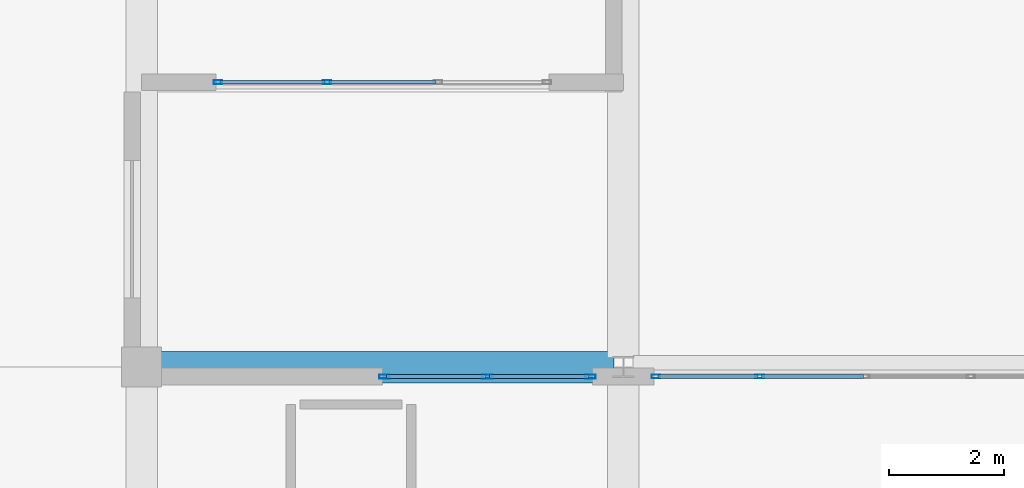
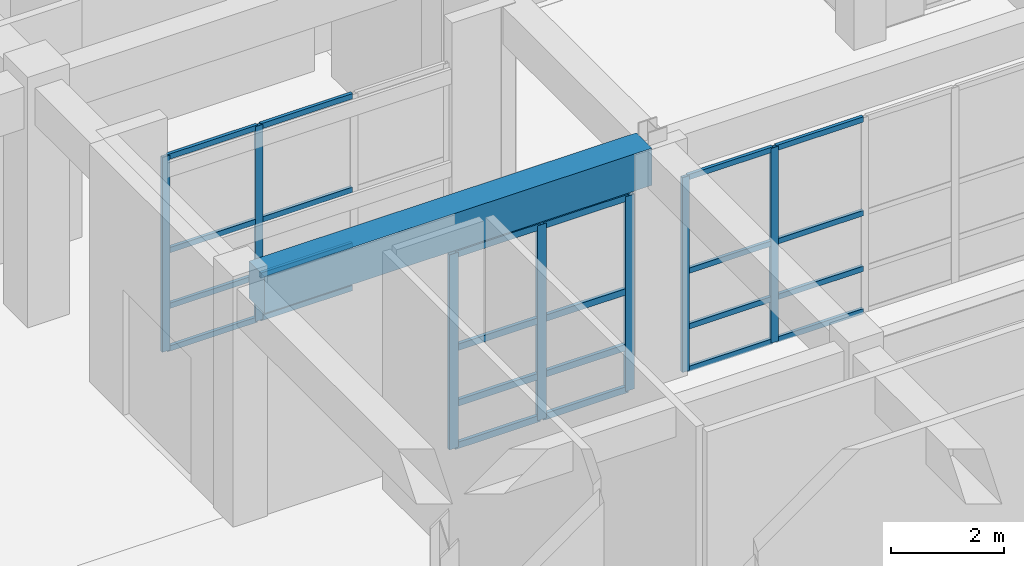
# One storey, part 69 of 148: 31 members, 1 beam, 3 elements without a shape of their own.
"""IFC4 building model written with IfcOpenShell, lengths in metres."""

from ifc_helpers import new_model, si_unit, direction, frame, origin, origin_2d, place, context, subcontext, project, spatial, rectangle, hollow_rectangle, extrude, material, layer, layer_set, material_profile, profile_set, type_object, element, aggregate, save


model = new_model("IFC4")

# Units and contexts
model_context = context("Model", 3, precision=1e-05, world=origin(), true_north=direction((0.0, 1.0)))
body_context = subcontext(model_context, "Body", "Model", "MODEL_VIEW")
ifc_project = project(units=[si_unit("LENGTHUNIT", "METRE"), si_unit("AREAUNIT", "SQUARE_METRE"), si_unit("VOLUMEUNIT", "CUBIC_METRE"), si_unit("PLANEANGLEUNIT", "RADIAN"), si_unit("MASSUNIT", "GRAM", prefix="KILO")], contexts=[model_context])

# Site, building, storey
site_placement = place(None, origin())
site = spatial("IfcSite", under=ifc_project, at=site_placement, CompositionType="ELEMENT")
building_placement = place(site_placement, origin())
building = spatial("IfcBuilding", under=site, at=building_placement, Name="Quendrovan Civic Courthouse", CompositionType="ELEMENT")
storey_placement = place(building_placement, origin())
storey = spatial("IfcBuildingStorey", under=building, at=storey_placement, Name="L01", CompositionType="ELEMENT", Elevation=0.0)

# Beam
ifc_material_1 = material(Name="Concrete C40/50", Category="concrete")
ifc_material_profile_1 = material_profile(ifc_material_1, rectangle(XDim=0.550048828125, YDim=0.800048828125, at=origin_2d()), Name="RC-BM-550x800")
ifc_profile_set_1 = profile_set([ifc_material_profile_1], Name="Concrete C40/50")
beam_type = type_object("IfcBeamType", Name="BM-RC800", PredefinedType="BEAM", material=ifc_profile_set_1)
beam_placement = place(storey_placement, frame((84.330078125, 80.39990234375, 4.719970703125), z_axis=(1.0, 0.0, 0.0), x_axis=(0.0, 1.0, 0.0)))
element("IfcBeam", 1, at=beam_placement, inside=storey, type_object=beam_type, Name="L01 Girder X0313", PredefinedType="BEAM", context=body_context, shape_type="SweptSolid", body=[
    extrude(rectangle(XDim=0.550048828125, YDim=0.800048828125, at=origin_2d()), origin(), (0.0, 0.0, 1.0), 7.90283203125),
])

# Curtain wall, members
ifc_material_2 = material(Name="Bronze anodised aluminium and low-E glass", Category="aluminium")
ifc_layer_1 = layer(ifc_material_2, 0.179931640625, Name="Bronze anodised aluminium and low-E glass")
ifc_layer_set_1 = layer_set([ifc_layer_1], Name="Bronze anodised aluminium and low-E glass")
curtain_wall_type_1 = type_object("IfcCurtainWallType", Name="CW-U37x42", PredefinedType="USERDEFINED", material=ifc_layer_set_1)
curtain_wall_1_placement = place(storey_placement, origin())
curtain_wall_1 = element("IfcCurtainWall", 2, at=curtain_wall_1_placement, inside=storey, type_object=curtain_wall_type_1, Name="L01 Unitised Hurricane Curtain Wall CW-052", ObjectType="UNITISED CURTAIN WALL", PredefinedType="USERDEFINED")
ifc_material_3 = material(Name="Bronze anodised aluminium", Category="aluminium")
ifc_material_profile_2 = material_profile(ifc_material_3, hollow_rectangle(XDim=0.070068359375, YDim=0.179931640625, WallThickness=0.00390625, at=origin_2d()), Name="CW-MULL-70x180")
ifc_profile_set_2 = profile_set([ifc_material_profile_2], Name="Bronze anodised aluminium")
member_type_1 = type_object("IfcMemberType", Name="CW-MULL-A", PredefinedType="MULLION", material=ifc_profile_set_2)
member_1_placement = place(storey_placement, frame((88.235107421875, 80.235107421875, 0.0), z_axis=(0.0, 0.0, 1.0), x_axis=(0.0, 1.0, 0.0)))
member_1 = element("IfcMember", 3, at=member_1_placement, type_object=member_type_1, Name="CW-052 mullion 1", PredefinedType="MULLION", context=body_context, shape_type="SweptSolid", body=[
    extrude(hollow_rectangle(XDim=0.070068359375, YDim=0.179931640625, WallThickness=0.00390625, at=origin_2d()), origin(), (0.0, 0.0, 1.0), 4.199951171875),
])
member_2_placement = place(storey_placement, frame((90.031494140625, 80.235107421875, 0.0), z_axis=(0.0, 0.0, 1.0), x_axis=(0.0, 1.0, 0.0)))
member_2 = element("IfcMember", 4, at=member_2_placement, type_object=member_type_1, Name="CW-052 mullion 2", PredefinedType="MULLION", context=body_context, shape_type="SweptSolid", body=[
    extrude(hollow_rectangle(XDim=0.070068359375, YDim=0.179931640625, WallThickness=0.00390625, at=origin_2d()), origin(), (0.0, 0.0, 1.0), 4.199951171875),
])
member_3_placement = place(storey_placement, frame((91.827880859375, 80.235107421875, 0.0), z_axis=(0.0, 0.0, 1.0), x_axis=(0.0, 1.0, 0.0)))
member_3 = element("IfcMember", 5, at=member_3_placement, type_object=member_type_1, Name="CW-052 mullion 3", PredefinedType="MULLION", context=body_context, shape_type="SweptSolid", body=[
    extrude(hollow_rectangle(XDim=0.070068359375, YDim=0.179931640625, WallThickness=0.00390625, at=origin_2d()), origin(), (0.0, 0.0, 1.0), 4.199951171875),
])

ifc_layer_2 = layer(ifc_material_2, 0.179931640625, Name="Bronze anodised aluminium and low-E glass")
ifc_layer_set_2 = layer_set([ifc_layer_2], Name="Bronze anodised aluminium and low-E glass")
curtain_wall_type_2 = type_object("IfcCurtainWallType", Name="CW-U58x42", PredefinedType="USERDEFINED", material=ifc_layer_set_2)
curtain_wall_2_placement = place(storey_placement, origin())
curtain_wall_2 = element("IfcCurtainWall", 6, at=curtain_wall_2_placement, inside=storey, type_object=curtain_wall_type_2, Name="L01 Unitised Hurricane Curtain Wall CW-051", ObjectType="UNITISED CURTAIN WALL", PredefinedType="USERDEFINED")
ifc_material_profile_3 = material_profile(ifc_material_3, hollow_rectangle(XDim=0.06494140625, YDim=0.14990234375, WallThickness=0.00390625, at=origin_2d()), Name="CW-MULL-65x150")
ifc_profile_set_3 = profile_set([ifc_material_profile_3], Name="Bronze anodised aluminium")
member_type_2 = type_object("IfcMemberType", Name="CW-MULL-B", PredefinedType="MULLION", material=ifc_profile_set_3)
member_4_placement = place(storey_placement, frame((87.2333984375, 85.364990234375, 0.0), z_axis=(0.0, 0.0, 1.0), x_axis=(0.0, -1.0, 0.0)))
member_4 = element("IfcMember", 7, at=member_4_placement, type_object=member_type_2, Name="CW-051 mullion 3", PredefinedType="MULLION", context=body_context, shape_type="SweptSolid", body=[
    extrude(hollow_rectangle(XDim=0.06494140625, YDim=0.14990234375, WallThickness=0.00390625, at=origin_2d()), origin(), (0.0, 0.0, 1.0), 4.199951171875),
])
member_5_placement = place(storey_placement, frame((85.33251953125, 85.364990234375, 0.0), z_axis=(0.0, 0.0, 1.0), x_axis=(0.0, -1.0, 0.0)))
member_5 = element("IfcMember", 8, at=member_5_placement, type_object=member_type_2, Name="CW-051 mullion 4", PredefinedType="MULLION", context=body_context, shape_type="SweptSolid", body=[
    extrude(hollow_rectangle(XDim=0.06494140625, YDim=0.14990234375, WallThickness=0.00390625, at=origin_2d()), origin(), (0.0, 0.0, 1.0), 4.199951171875),
])

ifc_layer_3 = layer(ifc_material_2, 0.179931640625, Name="Bronze anodised aluminium and low-E glass")
ifc_layer_set_3 = layer_set([ifc_layer_3], Name="Bronze anodised aluminium and low-E glass")
curtain_wall_type_3 = type_object("IfcCurtainWallType", Name="CW-U74x42", PredefinedType="USERDEFINED", material=ifc_layer_set_3)
curtain_wall_3_placement = place(storey_placement, origin())
curtain_wall_3 = element("IfcCurtainWall", 9, at=curtain_wall_3_placement, inside=storey, type_object=curtain_wall_type_3, Name="L01 Unitised Hurricane Curtain Wall CW-053", ObjectType="UNITISED CURTAIN WALL", PredefinedType="USERDEFINED")
member_6_placement = place(storey_placement, frame((92.969482421875, 80.235107421875, 0.0), z_axis=(0.0, 0.0, 1.0), x_axis=(0.0, 1.0, 0.0)))
member_6 = element("IfcMember", 10, at=member_6_placement, type_object=member_type_2, Name="CW-053 mullion 1", PredefinedType="MULLION", context=body_context, shape_type="SweptSolid", body=[
    extrude(hollow_rectangle(XDim=0.06494140625, YDim=0.14990234375, WallThickness=0.00390625, at=origin_2d()), origin(), (0.0, 0.0, 1.0), 4.199951171875),
])
member_7_placement = place(storey_placement, frame((94.77783203125, 80.235107421875, 0.0), z_axis=(0.0, 0.0, 1.0), x_axis=(0.0, 1.0, 0.0)))
member_7 = element("IfcMember", 11, at=member_7_placement, type_object=member_type_2, Name="CW-053 mullion 2", PredefinedType="MULLION", context=body_context, shape_type="SweptSolid", body=[
    extrude(hollow_rectangle(XDim=0.06494140625, YDim=0.14990234375, WallThickness=0.00390625, at=origin_2d()), origin(), (0.0, 0.0, 1.0), 4.199951171875),
])

# Member
ifc_material_profile_4 = material_profile(ifc_material_3, hollow_rectangle(XDim=0.070068359375, YDim=0.139892578125, WallThickness=0.00390625, at=origin_2d()), Name="CW-TRAN-70x140")
ifc_profile_set_4 = profile_set([ifc_material_profile_4], Name="Bronze anodised aluminium")
member_type_3 = type_object("IfcMemberType", Name="CW-TRAN-A", PredefinedType="USERDEFINED", material=ifc_profile_set_4)
member_8_placement = place(storey_placement, frame((88.27001953125, 80.235107421875, 0.034912109375), z_axis=(1.0, 0.0, 0.0), x_axis=(0.0, 1.0, 0.0)))
member_8 = element("IfcMember", 12, at=member_8_placement, type_object=member_type_3, Name="CW-052 transom 1.1", ObjectType="TRANSOM", PredefinedType="USERDEFINED", context=body_context, shape_type="SweptSolid", body=[
    extrude(hollow_rectangle(XDim=0.070068359375, YDim=0.139892578125, WallThickness=0.00390625, at=origin_2d()), origin(), (0.0, 0.0, 1.0), 1.7265625),
])

member_9_placement = place(storey_placement, frame((88.27001953125, 80.235107421875, 0.949951171875), z_axis=(1.0, 0.0, 0.0), x_axis=(0.0, 1.0, 0.0)))
member_9 = element("IfcMember", 13, at=member_9_placement, type_object=member_type_3, Name="CW-052 transom 1.2", ObjectType="TRANSOM", PredefinedType="USERDEFINED", context=body_context, shape_type="SweptSolid", body=[
    extrude(hollow_rectangle(XDim=0.070068359375, YDim=0.139892578125, WallThickness=0.00390625, at=origin_2d()), origin(), (0.0, 0.0, 1.0), 1.7265625),
])

member_10_placement = place(storey_placement, frame((88.27001953125, 80.235107421875, 2.14990234375), z_axis=(1.0, 0.0, 0.0), x_axis=(0.0, 1.0, 0.0)))
member_10 = element("IfcMember", 14, at=member_10_placement, type_object=member_type_3, Name="CW-052 transom 1.3", ObjectType="TRANSOM", PredefinedType="USERDEFINED", context=body_context, shape_type="SweptSolid", body=[
    extrude(hollow_rectangle(XDim=0.070068359375, YDim=0.139892578125, WallThickness=0.00390625, at=origin_2d()), origin(), (0.0, 0.0, 1.0), 1.7265625),
])

member_11_placement = place(storey_placement, frame((88.27001953125, 80.235107421875, 4.1650390625), z_axis=(1.0, 0.0, 0.0), x_axis=(0.0, 1.0, 0.0)))
member_11 = element("IfcMember", 15, at=member_11_placement, type_object=member_type_3, Name="CW-052 transom 1.4", ObjectType="TRANSOM", PredefinedType="USERDEFINED", context=body_context, shape_type="SweptSolid", body=[
    extrude(hollow_rectangle(XDim=0.070068359375, YDim=0.139892578125, WallThickness=0.00390625, at=origin_2d()), origin(), (0.0, 0.0, 1.0), 1.7265625),
])

member_12_placement = place(storey_placement, frame((90.06640625, 80.235107421875, 0.034912109375), z_axis=(1.0, 0.0, 0.0), x_axis=(0.0, 1.0, 0.0)))
member_12 = element("IfcMember", 16, at=member_12_placement, type_object=member_type_3, Name="CW-052 transom 2.1", ObjectType="TRANSOM", PredefinedType="USERDEFINED", context=body_context, shape_type="SweptSolid", body=[
    extrude(hollow_rectangle(XDim=0.070068359375, YDim=0.139892578125, WallThickness=0.00390625, at=origin_2d()), origin(), (0.0, 0.0, 1.0), 1.7265625),
])

member_13_placement = place(storey_placement, frame((90.06640625, 80.235107421875, 0.949951171875), z_axis=(1.0, 0.0, 0.0), x_axis=(0.0, 1.0, 0.0)))
member_13 = element("IfcMember", 17, at=member_13_placement, type_object=member_type_3, Name="CW-052 transom 2.2", ObjectType="TRANSOM", PredefinedType="USERDEFINED", context=body_context, shape_type="SweptSolid", body=[
    extrude(hollow_rectangle(XDim=0.070068359375, YDim=0.139892578125, WallThickness=0.00390625, at=origin_2d()), origin(), (0.0, 0.0, 1.0), 1.7265625),
])

member_14_placement = place(storey_placement, frame((90.06640625, 80.235107421875, 2.14990234375), z_axis=(1.0, 0.0, 0.0), x_axis=(0.0, 1.0, 0.0)))
member_14 = element("IfcMember", 18, at=member_14_placement, type_object=member_type_3, Name="CW-052 transom 2.3", ObjectType="TRANSOM", PredefinedType="USERDEFINED", context=body_context, shape_type="SweptSolid", body=[
    extrude(hollow_rectangle(XDim=0.070068359375, YDim=0.139892578125, WallThickness=0.00390625, at=origin_2d()), origin(), (0.0, 0.0, 1.0), 1.7265625),
])

member_15_placement = place(storey_placement, frame((90.06640625, 80.235107421875, 4.1650390625), z_axis=(1.0, 0.0, 0.0), x_axis=(0.0, 1.0, 0.0)))
member_15 = element("IfcMember", 19, at=member_15_placement, type_object=member_type_3, Name="CW-052 transom 2.4", ObjectType="TRANSOM", PredefinedType="USERDEFINED", context=body_context, shape_type="SweptSolid", body=[
    extrude(hollow_rectangle(XDim=0.070068359375, YDim=0.139892578125, WallThickness=0.00390625, at=origin_2d()), origin(), (0.0, 0.0, 1.0), 1.7265625),
])

aggregate(curtain_wall_1, [member_1, member_2, member_3, member_8, member_9, member_10, member_11, member_12, member_13, member_14, member_15])

ifc_material_profile_5 = material_profile(ifc_material_3, hollow_rectangle(XDim=0.06494140625, YDim=0.114990234375, WallThickness=0.00390625, at=origin_2d()), Name="CW-TRAN-65x115")
ifc_profile_set_5 = profile_set([ifc_material_profile_5], Name="Bronze anodised aluminium")
member_type_4 = type_object("IfcMemberType", Name="CW-TRAN-B", PredefinedType="USERDEFINED", material=ifc_profile_set_5)
member_16_placement = place(storey_placement, frame((89.13427734375, 85.364990234375, 0.032470703125), z_axis=(-1.0, 0.0, 0.0), x_axis=(0.0, -1.0, 0.0)))
member_16 = element("IfcMember", 20, at=member_16_placement, type_object=member_type_4, Name="CW-051 transom 2.1", ObjectType="TRANSOM", PredefinedType="USERDEFINED", context=body_context, shape_type="SweptSolid", body=[
    extrude(hollow_rectangle(XDim=0.06494140625, YDim=0.114990234375, WallThickness=0.00390625, at=origin_2d()), origin(), (0.0, 0.0, 1.0), 1.868408203125),
])

member_17_placement = place(storey_placement, frame((89.13427734375, 85.364990234375, 0.949951171875), z_axis=(-1.0, 0.0, 0.0), x_axis=(0.0, -1.0, 0.0)))
member_17 = element("IfcMember", 21, at=member_17_placement, type_object=member_type_4, Name="CW-051 transom 2.2", ObjectType="TRANSOM", PredefinedType="USERDEFINED", context=body_context, shape_type="SweptSolid", body=[
    extrude(hollow_rectangle(XDim=0.06494140625, YDim=0.114990234375, WallThickness=0.00390625, at=origin_2d()), origin(), (0.0, 0.0, 1.0), 1.868408203125),
])

member_18_placement = place(storey_placement, frame((89.13427734375, 85.364990234375, 2.14990234375), z_axis=(-1.0, 0.0, 0.0), x_axis=(0.0, -1.0, 0.0)))
member_18 = element("IfcMember", 22, at=member_18_placement, type_object=member_type_4, Name="CW-051 transom 2.3", ObjectType="TRANSOM", PredefinedType="USERDEFINED", context=body_context, shape_type="SweptSolid", body=[
    extrude(hollow_rectangle(XDim=0.06494140625, YDim=0.114990234375, WallThickness=0.00390625, at=origin_2d()), origin(), (0.0, 0.0, 1.0), 1.868408203125),
])

member_19_placement = place(storey_placement, frame((89.13427734375, 85.364990234375, 4.16748046875), z_axis=(-1.0, 0.0, 0.0), x_axis=(0.0, -1.0, 0.0)))
member_19 = element("IfcMember", 23, at=member_19_placement, type_object=member_type_4, Name="CW-051 transom 2.4", ObjectType="TRANSOM", PredefinedType="USERDEFINED", context=body_context, shape_type="SweptSolid", body=[
    extrude(hollow_rectangle(XDim=0.06494140625, YDim=0.114990234375, WallThickness=0.00390625, at=origin_2d()), origin(), (0.0, 0.0, 1.0), 1.868408203125),
])

member_20_placement = place(storey_placement, frame((87.200927734375, 85.364990234375, 0.032470703125), z_axis=(-1.0, 0.0, 0.0), x_axis=(0.0, -1.0, 0.0)))
member_20 = element("IfcMember", 24, at=member_20_placement, type_object=member_type_4, Name="CW-051 transom 3.1", ObjectType="TRANSOM", PredefinedType="USERDEFINED", context=body_context, shape_type="SweptSolid", body=[
    extrude(hollow_rectangle(XDim=0.06494140625, YDim=0.114990234375, WallThickness=0.00390625, at=origin_2d()), origin(), (0.0, 0.0, 1.0), 1.8359375),
])

member_21_placement = place(storey_placement, frame((87.200927734375, 85.364990234375, 0.949951171875), z_axis=(-1.0, 0.0, 0.0), x_axis=(0.0, -1.0, 0.0)))
member_21 = element("IfcMember", 25, at=member_21_placement, type_object=member_type_4, Name="CW-051 transom 3.2", ObjectType="TRANSOM", PredefinedType="USERDEFINED", context=body_context, shape_type="SweptSolid", body=[
    extrude(hollow_rectangle(XDim=0.06494140625, YDim=0.114990234375, WallThickness=0.00390625, at=origin_2d()), origin(), (0.0, 0.0, 1.0), 1.8359375),
])

member_22_placement = place(storey_placement, frame((87.200927734375, 85.364990234375, 2.14990234375), z_axis=(-1.0, 0.0, 0.0), x_axis=(0.0, -1.0, 0.0)))
member_22 = element("IfcMember", 26, at=member_22_placement, type_object=member_type_4, Name="CW-051 transom 3.3", ObjectType="TRANSOM", PredefinedType="USERDEFINED", context=body_context, shape_type="SweptSolid", body=[
    extrude(hollow_rectangle(XDim=0.06494140625, YDim=0.114990234375, WallThickness=0.00390625, at=origin_2d()), origin(), (0.0, 0.0, 1.0), 1.8359375),
])

member_23_placement = place(storey_placement, frame((87.200927734375, 85.364990234375, 4.16748046875), z_axis=(-1.0, 0.0, 0.0), x_axis=(0.0, -1.0, 0.0)))
member_23 = element("IfcMember", 27, at=member_23_placement, type_object=member_type_4, Name="CW-051 transom 3.4", ObjectType="TRANSOM", PredefinedType="USERDEFINED", context=body_context, shape_type="SweptSolid", body=[
    extrude(hollow_rectangle(XDim=0.06494140625, YDim=0.114990234375, WallThickness=0.00390625, at=origin_2d()), origin(), (0.0, 0.0, 1.0), 1.8359375),
])

aggregate(curtain_wall_2, [member_4, member_5, member_16, member_17, member_18, member_19, member_20, member_21, member_22, member_23])

member_24_placement = place(storey_placement, frame((93.001953125, 80.235107421875, 0.032470703125), z_axis=(1.0, 0.0, 0.0), x_axis=(0.0, 1.0, 0.0)))
member_24 = element("IfcMember", 28, at=member_24_placement, type_object=member_type_4, Name="CW-053 transom 1.1", ObjectType="TRANSOM", PredefinedType="USERDEFINED", context=body_context, shape_type="SweptSolid", body=[
    extrude(hollow_rectangle(XDim=0.06494140625, YDim=0.114990234375, WallThickness=0.00390625, at=origin_2d()), origin(), (0.0, 0.0, 1.0), 1.743408203125),
])

member_25_placement = place(storey_placement, frame((93.001953125, 80.235107421875, 0.949951171875), z_axis=(1.0, 0.0, 0.0), x_axis=(0.0, 1.0, 0.0)))
member_25 = element("IfcMember", 29, at=member_25_placement, type_object=member_type_4, Name="CW-053 transom 1.2", ObjectType="TRANSOM", PredefinedType="USERDEFINED", context=body_context, shape_type="SweptSolid", body=[
    extrude(hollow_rectangle(XDim=0.06494140625, YDim=0.114990234375, WallThickness=0.00390625, at=origin_2d()), origin(), (0.0, 0.0, 1.0), 1.743408203125),
])

member_26_placement = place(storey_placement, frame((93.001953125, 80.235107421875, 2.14990234375), z_axis=(1.0, 0.0, 0.0), x_axis=(0.0, 1.0, 0.0)))
member_26 = element("IfcMember", 30, at=member_26_placement, type_object=member_type_4, Name="CW-053 transom 1.3", ObjectType="TRANSOM", PredefinedType="USERDEFINED", context=body_context, shape_type="SweptSolid", body=[
    extrude(hollow_rectangle(XDim=0.06494140625, YDim=0.114990234375, WallThickness=0.00390625, at=origin_2d()), origin(), (0.0, 0.0, 1.0), 1.743408203125),
])

member_27_placement = place(storey_placement, frame((93.001953125, 80.235107421875, 4.16748046875), z_axis=(1.0, 0.0, 0.0), x_axis=(0.0, 1.0, 0.0)))
member_27 = element("IfcMember", 31, at=member_27_placement, type_object=member_type_4, Name="CW-053 transom 1.4", ObjectType="TRANSOM", PredefinedType="USERDEFINED", context=body_context, shape_type="SweptSolid", body=[
    extrude(hollow_rectangle(XDim=0.06494140625, YDim=0.114990234375, WallThickness=0.00390625, at=origin_2d()), origin(), (0.0, 0.0, 1.0), 1.743408203125),
])

member_28_placement = place(storey_placement, frame((94.810302734375, 80.235107421875, 0.032470703125), z_axis=(1.0, 0.0, 0.0), x_axis=(0.0, 1.0, 0.0)))
member_28 = element("IfcMember", 32, at=member_28_placement, type_object=member_type_4, Name="CW-053 transom 2.1", ObjectType="TRANSOM", PredefinedType="USERDEFINED", context=body_context, shape_type="SweptSolid", body=[
    extrude(hollow_rectangle(XDim=0.06494140625, YDim=0.114990234375, WallThickness=0.00390625, at=origin_2d()), origin(), (0.0, 0.0, 1.0), 1.775634765625),
])

member_29_placement = place(storey_placement, frame((94.810302734375, 80.235107421875, 0.949951171875), z_axis=(1.0, 0.0, 0.0), x_axis=(0.0, 1.0, 0.0)))
member_29 = element("IfcMember", 33, at=member_29_placement, type_object=member_type_4, Name="CW-053 transom 2.2", ObjectType="TRANSOM", PredefinedType="USERDEFINED", context=body_context, shape_type="SweptSolid", body=[
    extrude(hollow_rectangle(XDim=0.06494140625, YDim=0.114990234375, WallThickness=0.00390625, at=origin_2d()), origin(), (0.0, 0.0, 1.0), 1.775634765625),
])

member_30_placement = place(storey_placement, frame((94.810302734375, 80.235107421875, 2.14990234375), z_axis=(1.0, 0.0, 0.0), x_axis=(0.0, 1.0, 0.0)))
member_30 = element("IfcMember", 34, at=member_30_placement, type_object=member_type_4, Name="CW-053 transom 2.3", ObjectType="TRANSOM", PredefinedType="USERDEFINED", context=body_context, shape_type="SweptSolid", body=[
    extrude(hollow_rectangle(XDim=0.06494140625, YDim=0.114990234375, WallThickness=0.00390625, at=origin_2d()), origin(), (0.0, 0.0, 1.0), 1.775634765625),
])

member_31_placement = place(storey_placement, frame((94.810302734375, 80.235107421875, 4.16748046875), z_axis=(1.0, 0.0, 0.0), x_axis=(0.0, 1.0, 0.0)))
member_31 = element("IfcMember", 35, at=member_31_placement, type_object=member_type_4, Name="CW-053 transom 2.4", ObjectType="TRANSOM", PredefinedType="USERDEFINED", context=body_context, shape_type="SweptSolid", body=[
    extrude(hollow_rectangle(XDim=0.06494140625, YDim=0.114990234375, WallThickness=0.00390625, at=origin_2d()), origin(), (0.0, 0.0, 1.0), 1.775634765625),
])

aggregate(curtain_wall_3, [member_6, member_7, member_24, member_25, member_26, member_27, member_28, member_29, member_30, member_31])

save(model, "model.ifc")
